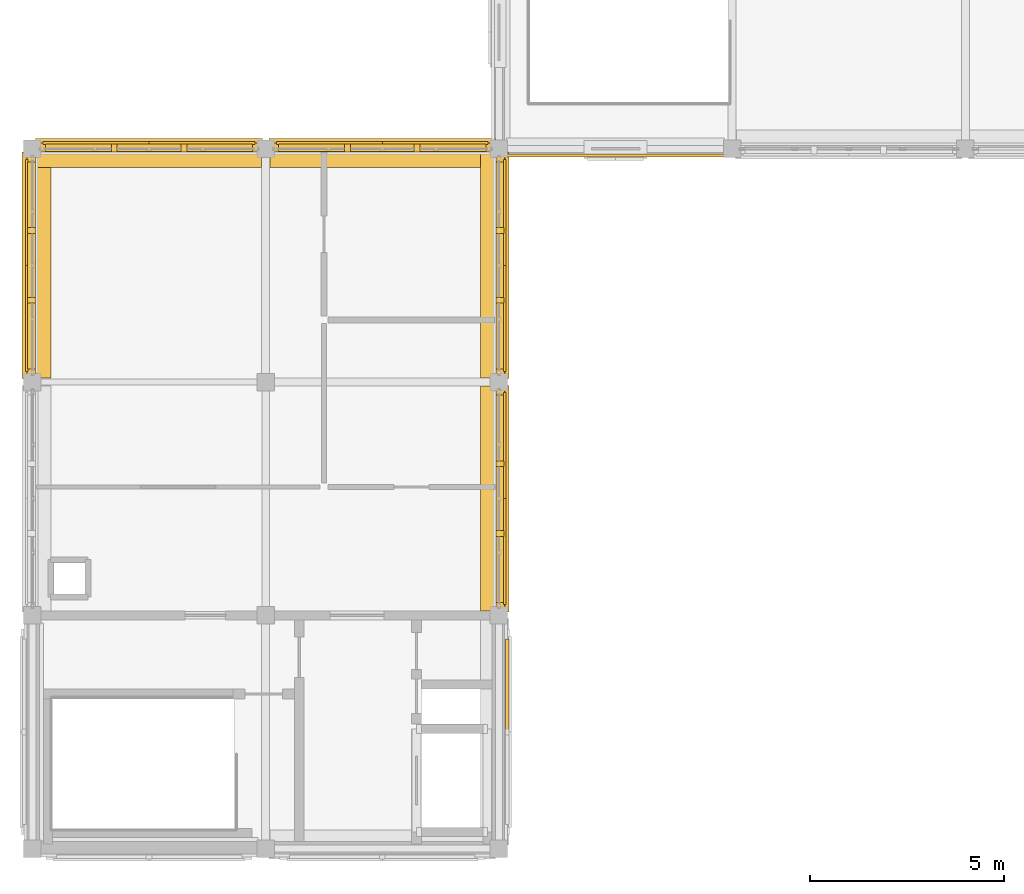
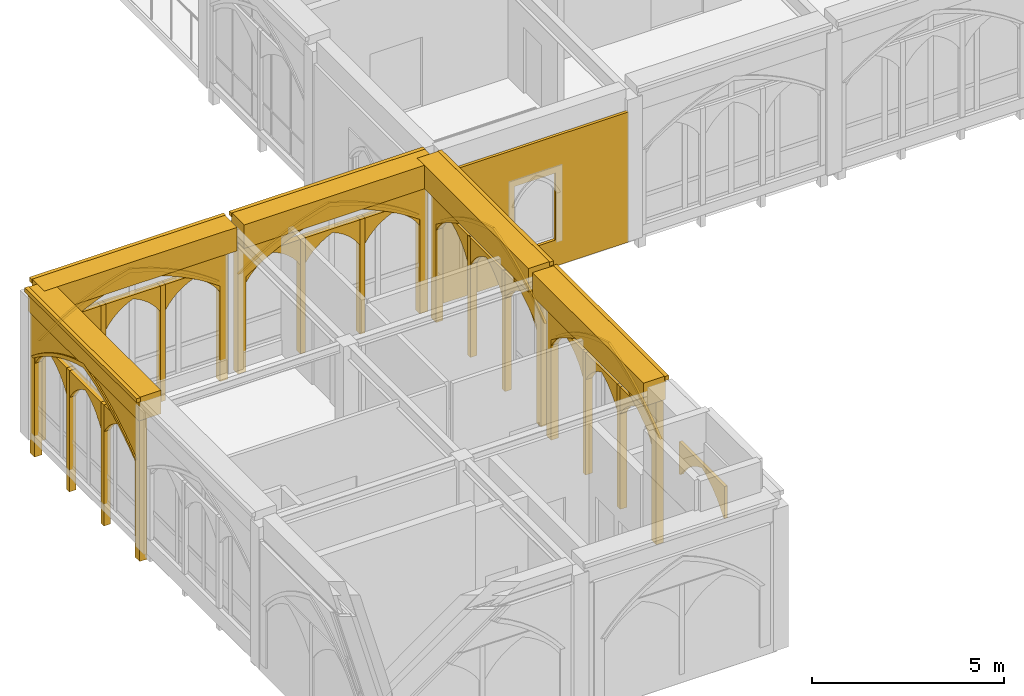
# One storey, part 48 of 59: 47 coverings.
"""IFC4 building model written with IfcOpenShell, lengths in metres."""

from ifc_helpers import new_model, si_unit, direction, frame, origin, origin_2d, place, context, subcontext, project, spatial, polyline, rectangle, outline, extrude, material, type_object, element, save


model = new_model("IFC4")

# Units and contexts
model_context = context("Model", 3, precision=1e-05, world=origin(), true_north=direction((0.0, 1.0)))
body_context = subcontext(model_context, "Body", "Model", "MODEL_VIEW")
ifc_project = project(units=[si_unit("LENGTHUNIT", "METRE"), si_unit("AREAUNIT", "SQUARE_METRE"), si_unit("VOLUMEUNIT", "CUBIC_METRE"), si_unit("PLANEANGLEUNIT", "RADIAN"), si_unit("MASSUNIT", "GRAM", prefix="KILO")], contexts=[model_context])

# Site, building, storey
site_placement = place(None, origin())
site = spatial("IfcSite", under=ifc_project, at=site_placement, CompositionType="ELEMENT")
building_placement = place(site_placement, origin())
building = spatial("IfcBuilding", under=site, at=building_placement, Name="Cumevento Cable Car Station", CompositionType="ELEMENT")
storey_placement = place(building_placement, frame((0.0, 0.0, 18.0)))
storey = spatial("IfcBuildingStorey", under=building, at=storey_placement, Name="L05", CompositionType="ELEMENT", Elevation=18.0)

# Coverings
ifc_material = material(Name="Gnaisse Facoidal Stone Ashlar 85 MPa", Category="masonry")
covering_type = type_object("IfcCoveringType", Name="Gnaisse Ashlar Cladding CV-CL01", PredefinedType="CLADDING", material=ifc_material)
covering_1_placement = place(storey_placement, frame((13.0, 44.85009765625, 4.032958984375), z_axis=(0.0, 0.0, 1.0), x_axis=(1.0, 0.0, 0.0)))
element("IfcCovering", 1, at=covering_1_placement, inside=storey, type_object=covering_type, Name="Gothic Stone Spandrel Stringcourse sc:0790", PredefinedType="CLADDING", context=body_context, shape_type="SweptSolid", body=[
    extrude(rectangle(XDim=5.7900390625, YDim=0.659912109375, at=origin_2d()), origin(), (0.0, 0.0, 1.0), 0.7470703125),
])
covering_2_placement = place(storey_placement, frame((13.0, 45.20751953125, 4.650146484375), z_axis=(0.0, 0.0, 1.0), x_axis=(1.0, 0.0, 0.0)))
element("IfcCovering", 2, at=covering_2_placement, inside=storey, type_object=covering_type, Name="Gothic Cornice Dripstone Lip sc:0790", PredefinedType="CLADDING", context=body_context, shape_type="SweptSolid", body=[
    extrude(rectangle(XDim=5.830078125, YDim=0.114990234375, at=origin_2d()), origin(), (0.0, 0.0, 1.0), 0.1298828125),
])
covering_3_placement = place(storey_placement, frame((19.0, 44.85009765625, 4.032958984375), z_axis=(0.0, 0.0, 1.0), x_axis=(1.0, 0.0, 0.0)))
element("IfcCovering", 3, at=covering_3_placement, inside=storey, type_object=covering_type, Name="Gothic Stone Spandrel Stringcourse sc:0791", PredefinedType="CLADDING", context=body_context, shape_type="SweptSolid", body=[
    extrude(rectangle(XDim=5.7900390625, YDim=0.659912109375, at=origin_2d()), origin(), (0.0, 0.0, 1.0), 0.7470703125),
])
covering_4_placement = place(storey_placement, frame((19.0, 45.20751953125, 4.650146484375), z_axis=(0.0, 0.0, 1.0), x_axis=(1.0, 0.0, 0.0)))
element("IfcCovering", 4, at=covering_4_placement, inside=storey, type_object=covering_type, Name="Gothic Cornice Dripstone Lip sc:0791", PredefinedType="CLADDING", context=body_context, shape_type="SweptSolid", body=[
    extrude(rectangle(XDim=5.830078125, YDim=0.114990234375, at=origin_2d()), origin(), (0.0, 0.0, 1.0), 0.1298828125),
])
covering_5_placement = place(storey_placement, frame((10.14990234375, 42.0, 4.032958984375), z_axis=(0.0, 0.0, 1.0), x_axis=(0.0, 1.0, 0.0)))
element("IfcCovering", 5, at=covering_5_placement, inside=storey, type_object=covering_type, Name="Gothic Stone Spandrel Stringcourse sc:0793", PredefinedType="CLADDING", context=body_context, shape_type="SweptSolid", body=[
    extrude(rectangle(XDim=5.7900390625, YDim=0.659912109375, at=origin_2d()), origin(), (0.0, 0.0, 1.0), 0.7470703125),
])
covering_6_placement = place(storey_placement, frame((9.79248046875, 42.0, 4.650146484375), z_axis=(0.0, 0.0, 1.0), x_axis=(0.0, 1.0, 0.0)))
element("IfcCovering", 6, at=covering_6_placement, inside=storey, type_object=covering_type, Name="Gothic Cornice Dripstone Lip sc:0793", PredefinedType="CLADDING", context=body_context, shape_type="SweptSolid", body=[
    extrude(rectangle(XDim=5.830078125, YDim=0.114990234375, at=origin_2d()), origin(), (0.0, 0.0, 1.0), 0.1298828125),
])
covering_7_placement = place(storey_placement, frame((21.85009765625, 36.0, 4.032958984375), z_axis=(0.0, 0.0, 1.0), x_axis=(0.0, -1.0, 0.0)))
element("IfcCovering", 7, at=covering_7_placement, inside=storey, type_object=covering_type, Name="Gothic Stone Spandrel Stringcourse sc:0794", PredefinedType="CLADDING", context=body_context, shape_type="SweptSolid", body=[
    extrude(rectangle(XDim=5.7900390625, YDim=0.659912109375, at=origin_2d()), origin(), (0.0, 0.0, 1.0), 0.7470703125),
])
covering_8_placement = place(storey_placement, frame((22.20751953125, 36.0, 4.650146484375), z_axis=(0.0, 0.0, 1.0), x_axis=(0.0, -1.0, 0.0)))
element("IfcCovering", 8, at=covering_8_placement, inside=storey, type_object=covering_type, Name="Gothic Cornice Dripstone Lip sc:0794", PredefinedType="CLADDING", context=body_context, shape_type="SweptSolid", body=[
    extrude(rectangle(XDim=5.830078125, YDim=0.114990234375, at=origin_2d()), origin(), (0.0, 0.0, 1.0), 0.1298828125),
])
covering_9_placement = place(storey_placement, frame((21.85009765625, 42.0, 4.032958984375), z_axis=(0.0, 0.0, 1.0), x_axis=(0.0, -1.0, 0.0)))
element("IfcCovering", 9, at=covering_9_placement, inside=storey, type_object=covering_type, Name="Gothic Stone Spandrel Stringcourse sc:0795", PredefinedType="CLADDING", context=body_context, shape_type="SweptSolid", body=[
    extrude(rectangle(XDim=5.7900390625, YDim=0.659912109375, at=origin_2d()), origin(), (0.0, 0.0, 1.0), 0.7470703125),
])
covering_10_placement = place(storey_placement, frame((22.20751953125, 42.0, 4.650146484375), z_axis=(0.0, 0.0, 1.0), x_axis=(0.0, -1.0, 0.0)))
element("IfcCovering", 10, at=covering_10_placement, inside=storey, type_object=covering_type, Name="Gothic Cornice Dripstone Lip sc:0795", PredefinedType="CLADDING", context=body_context, shape_type="SweptSolid", body=[
    extrude(rectangle(XDim=5.830078125, YDim=0.114990234375, at=origin_2d()), origin(), (0.0, 0.0, 1.0), 0.1298828125),
])
placement_1 = place(storey_placement, frame((10.22509765625, 45.0, -0.27001953125), z_axis=(0.0, 0.0, 1.0), x_axis=(1.0, 0.0, 0.0)))
element("IfcCovering", 11, at=placement_1, inside=storey, type_object=covering_type, Name="Gothic Ogival Pointed-Arch Stone Spandrel cw_ogival:0197", PredefinedType="CLADDING", context=body_context, shape_type="SweptSolid", body=[
    extrude(outline(polyline([(-0.080078125, 0.0), (-0.080078125, 4.443115234375), (5.6298828125, 4.443115234375), (5.6298828125, 0.0), (5.389892578125, 0.0), (5.389892578125, 3.037109375), (5.09228515625, 3.243408203125), (4.78466796875, 3.434814453125), (4.4677734375, 3.610595703125), (4.142578125, 3.7705078125), (3.81005859375, 3.913818359375), (3.470703125, 4.040771484375), (3.125244140625, 4.150390625), (2.77490234375, 4.242919921875), (2.4248046875, 4.150390625), (2.079345703125, 4.040771484375), (1.739990234375, 3.913818359375), (1.407470703125, 3.7705078125), (1.082275390625, 3.610595703125), (0.765380859375, 3.434814453125), (0.457763671875, 3.243408203125), (0.159912109375, 3.037109375), (0.159912109375, 0.0), (-0.080078125, 0.0)])), frame((0.0, 0.139892578125, 0.0), z_axis=(0.0, -1.0, 0.0), x_axis=(1.0, 0.0, 0.0)), (0.0, 0.0, 1.0), 0.219970703125),
])
covering_12_placement = place(storey_placement, frame((10.22509765625, 45.0, 2.76708984375), z_axis=(0.0, 0.0, 1.0), x_axis=(1.0, 0.0, 0.0)))
element("IfcCovering", 12, at=covering_12_placement, inside=storey, type_object=covering_type, Name="Gothic Pointed Archivolt Hood Moulding cw_ogival:0197", PredefinedType="CLADDING", context=body_context, shape_type="SweptSolid", body=[
    extrude(outline(polyline([(0.159912109375, 0.0), (0.457763671875, 0.206298828125), (0.765380859375, 0.397705078125), (1.082275390625, 0.573486328125), (1.407470703125, 0.7333984375), (1.739990234375, 0.876708984375), (2.079345703125, 1.003662109375), (2.4248046875, 1.11328125), (2.77490234375, 1.205810546875), (3.125244140625, 1.11328125), (3.470703125, 1.003662109375), (3.81005859375, 0.876708984375), (4.142578125, 0.7333984375), (4.4677734375, 0.573486328125), (4.78466796875, 0.397705078125), (5.09228515625, 0.206298828125), (5.389892578125, 0.0), (5.5, 0.0), (5.19384765625, 0.229248046875), (4.875732421875, 0.44189453125), (4.547119140625, 0.6376953125), (4.20849609375, 0.815673828125), (3.861083984375, 0.975830078125), (3.505615234375, 1.117431640625), (3.143310546875, 1.239990234375), (2.77490234375, 1.343505859375), (2.40673828125, 1.239990234375), (2.04443359375, 1.117431640625), (1.68896484375, 0.975830078125), (1.341552734375, 0.815673828125), (1.0029296875, 0.6376953125), (0.67431640625, 0.44189453125), (0.356201171875, 0.229248046875), (0.050048828125, 0.0), (0.159912109375, 0.0)])), frame((0.0, 0.181884765625, 0.0), z_axis=(0.0, -1.0, 0.0), x_axis=(1.0, 0.0, 0.0)), (0.0, 0.0, 1.0), 0.06689453125),
])
element("IfcCovering", 13, at=placement_1, inside=storey, type_object=covering_type, Name="Gothic Bifora Stone Colonnette cw_ogival:0197 #1", PredefinedType="CLADDING", context=body_context, shape_type="SweptSolid", body=[
    extrude(outline(polyline([(1.80322265625, -0.02001953125), (1.953369140625, -0.02001953125), (1.953369140625, 3.664306640625), (1.80322265625, 3.664306640625), (1.80322265625, -0.02001953125)])), frame((0.0, 0.1279296875, 0.0), z_axis=(0.0, -1.0, 0.0), x_axis=(1.0, 0.0, 0.0)), (0.0, 0.0, 1.0), 0.205078125),
])
element("IfcCovering", 14, at=placement_1, inside=storey, type_object=covering_type, Name="Gothic Bifora Stone Colonnette cw_ogival:0197 #2", PredefinedType="CLADDING", context=body_context, shape_type="SweptSolid", body=[
    extrude(outline(polyline([(3.5966796875, -0.02001953125), (3.74658203125, -0.02001953125), (3.74658203125, 3.664306640625), (3.5966796875, 3.664306640625), (3.5966796875, -0.02001953125)])), frame((0.0, 0.1279296875, 0.0), z_axis=(0.0, -1.0, 0.0), x_axis=(1.0, 0.0, 0.0)), (0.0, 0.0, 1.0), 0.205078125),
])
for number, where, z_axis, x_axis, name in (
    (15, (10.35498046875, 45.0, 2.587158203125), (0.0, 0.0, 1.0), (1.0, 0.0, 0.0), "Gothic Ogival Pointed-Arch Stone Spandrel cw_ogival:0197:sub:0"),
    (16, (12.1484375, 45.0, 2.587158203125), (0.0, 0.0, 1.0), (1.0, 0.0, 0.0), "Gothic Ogival Pointed-Arch Stone Spandrel cw_ogival:0197:sub:1"),
    (17, (13.941650390625, 45.0, 2.587158203125), (0.0, 0.0, 1.0), (1.0, 0.0, 0.0), "Gothic Ogival Pointed-Arch Stone Spandrel cw_ogival:0197:sub:2"),
):
    element("IfcCovering", number, at=place(storey_placement, frame(where, z_axis=z_axis, x_axis=x_axis)), inside=storey, type_object=covering_type, Name=name, PredefinedType="CLADDING", context=body_context, shape_type="SweptSolid", body=[
        extrude(outline(polyline([(-0.02001953125, 0.0), (-0.02001953125, 0.80712890625), (1.723388671875, 0.80712890625), (1.723388671875, 0.0), (1.663330078125, 0.0), (1.561767578125, 0.14892578125), (1.444580078125, 0.285888671875), (1.3134765625, 0.40966796875), (1.169921875, 0.5185546875), (1.015380859375, 0.611328125), (0.8515625, 0.68701171875), (0.68798828125, 0.611328125), (0.533447265625, 0.5185546875), (0.389892578125, 0.40966796875), (0.2587890625, 0.285888671875), (0.1416015625, 0.14892578125), (0.0400390625, 0.0), (-0.02001953125, 0.0)])), frame((0.0, 0.1240234375, 0.0), z_axis=(0.0, -1.0, 0.0), x_axis=(1.0, 0.0, 0.0)), (0.0, 0.0, 1.0), 0.199951171875),
    ])
placement_2 = place(storey_placement, frame((16.22509765625, 45.0, -0.219970703125), z_axis=(0.0, 0.0, 1.0), x_axis=(1.0, 0.0, 0.0)))
element("IfcCovering", 18, at=placement_2, inside=storey, type_object=covering_type, Name="Gothic Ogival Pointed-Arch Stone Spandrel cw_ogival:0198", PredefinedType="CLADDING", context=body_context, shape_type="SweptSolid", body=[
    extrude(outline(polyline([(-0.080078125, 0.0), (-0.080078125, 4.39306640625), (5.6298828125, 4.39306640625), (5.6298828125, 0.0), (5.389892578125, 0.0), (5.389892578125, 3.005126953125), (5.091552734375, 3.20849609375), (4.783203125, 3.39697265625), (4.466064453125, 3.5703125), (4.140869140625, 3.727783203125), (3.80859375, 3.869140625), (3.469482421875, 3.993896484375), (3.124755859375, 4.10205078125), (2.77490234375, 4.193115234375), (2.42529296875, 4.10205078125), (2.08056640625, 3.993896484375), (1.741455078125, 3.869140625), (1.4091796875, 3.727783203125), (1.083984375, 3.5703125), (0.766845703125, 3.39697265625), (0.45849609375, 3.20849609375), (0.159912109375, 3.005126953125), (0.159912109375, 0.0), (-0.080078125, 0.0)])), frame((0.0, 0.139892578125, 0.0), z_axis=(0.0, -1.0, 0.0), x_axis=(1.0, 0.0, 0.0)), (0.0, 0.0, 1.0), 0.219970703125),
])
covering_16_placement = place(storey_placement, frame((16.22509765625, 45.0, 2.78515625), z_axis=(0.0, 0.0, 1.0), x_axis=(1.0, 0.0, 0.0)))
element("IfcCovering", 19, at=covering_16_placement, inside=storey, type_object=covering_type, Name="Gothic Pointed Archivolt Hood Moulding cw_ogival:0198", PredefinedType="CLADDING", context=body_context, shape_type="SweptSolid", body=[
    extrude(outline(polyline([(0.159912109375, 0.0), (0.45849609375, 0.203369140625), (0.766845703125, 0.391845703125), (1.083984375, 0.565185546875), (1.4091796875, 0.72265625), (1.741455078125, 0.864013671875), (2.08056640625, 0.98876953125), (2.42529296875, 1.096923828125), (2.77490234375, 1.18798828125), (3.124755859375, 1.096923828125), (3.469482421875, 0.98876953125), (3.80859375, 0.864013671875), (4.140869140625, 0.72265625), (4.466064453125, 0.565185546875), (4.783203125, 0.391845703125), (5.091552734375, 0.203369140625), (5.389892578125, 0.0), (5.5, 0.0), (5.19287109375, 0.226318359375), (4.87451171875, 0.436279296875), (4.54541015625, 0.62939453125), (4.206787109375, 0.80517578125), (3.859619140625, 0.962890625), (3.50439453125, 1.1025390625), (3.142578125, 1.223388671875), (2.77490234375, 1.325439453125), (2.407470703125, 1.223388671875), (2.045654296875, 1.1025390625), (1.6904296875, 0.962890625), (1.34326171875, 0.80517578125), (1.004638671875, 0.62939453125), (0.675537109375, 0.436279296875), (0.357177734375, 0.226318359375), (0.050048828125, 0.0), (0.159912109375, 0.0)])), frame((0.0, 0.181884765625, 0.0), z_axis=(0.0, -1.0, 0.0), x_axis=(1.0, 0.0, 0.0)), (0.0, 0.0, 1.0), 0.06689453125),
])
element("IfcCovering", 20, at=placement_2, inside=storey, type_object=covering_type, Name="Gothic Bifora Stone Colonnette cw_ogival:0198 #1", PredefinedType="CLADDING", context=body_context, shape_type="SweptSolid", body=[
    extrude(outline(polyline([(1.80322265625, -0.02001953125), (1.953369140625, -0.02001953125), (1.953369140625, 3.622802734375), (1.80322265625, 3.622802734375), (1.80322265625, -0.02001953125)])), frame((0.0, 0.1279296875, 0.0), z_axis=(0.0, -1.0, 0.0), x_axis=(1.0, 0.0, 0.0)), (0.0, 0.0, 1.0), 0.205078125),
])
element("IfcCovering", 21, at=placement_2, inside=storey, type_object=covering_type, Name="Gothic Bifora Stone Colonnette cw_ogival:0198 #2", PredefinedType="CLADDING", context=body_context, shape_type="SweptSolid", body=[
    extrude(outline(polyline([(3.5966796875, -0.02001953125), (3.74658203125, -0.02001953125), (3.74658203125, 3.622802734375), (3.5966796875, 3.622802734375), (3.5966796875, -0.02001953125)])), frame((0.0, 0.1279296875, 0.0), z_axis=(0.0, -1.0, 0.0), x_axis=(1.0, 0.0, 0.0)), (0.0, 0.0, 1.0), 0.205078125),
])
for number, where, z_axis, x_axis, name in (
    (22, (16.35498046875, 45.0, 2.60498046875), (0.0, 0.0, 1.0), (1.0, 0.0, 0.0), "Gothic Ogival Pointed-Arch Stone Spandrel cw_ogival:0198:sub:0"),
    (23, (18.1484375, 45.0, 2.60498046875), (0.0, 0.0, 1.0), (1.0, 0.0, 0.0), "Gothic Ogival Pointed-Arch Stone Spandrel cw_ogival:0198:sub:1"),
    (24, (19.941650390625, 45.0, 2.60498046875), (0.0, 0.0, 1.0), (1.0, 0.0, 0.0), "Gothic Ogival Pointed-Arch Stone Spandrel cw_ogival:0198:sub:2"),
):
    element("IfcCovering", number, at=place(storey_placement, frame(where, z_axis=z_axis, x_axis=x_axis)), inside=storey, type_object=covering_type, Name=name, PredefinedType="CLADDING", context=body_context, shape_type="SweptSolid", body=[
        extrude(outline(polyline([(-0.02001953125, 0.0), (-0.02001953125, 0.797607421875), (1.723388671875, 0.797607421875), (1.723388671875, 0.0), (1.663330078125, 0.0), (1.56103515625, 0.14697265625), (1.443359375, 0.2822265625), (1.312255859375, 0.404296875), (1.168701171875, 0.51171875), (1.0146484375, 0.603271484375), (0.8515625, 0.677734375), (0.688720703125, 0.603271484375), (0.53466796875, 0.51171875), (0.39111328125, 0.404296875), (0.260009765625, 0.2822265625), (0.142333984375, 0.14697265625), (0.0400390625, 0.0), (-0.02001953125, 0.0)])), frame((0.0, 0.1240234375, 0.0), z_axis=(0.0, -1.0, 0.0), x_axis=(1.0, 0.0, 0.0)), (0.0, 0.0, 1.0), 0.199951171875),
    ])
placement_3 = place(storey_placement, frame((22.0, 38.77490234375, -0.52001953125), z_axis=(0.0, 0.0, 1.0), x_axis=(0.0, -1.0, 0.0)))
element("IfcCovering", 25, at=placement_3, inside=storey, type_object=covering_type, Name="Gothic Ogival Pointed-Arch Stone Spandrel cw_ogival:0200", PredefinedType="CLADDING", context=body_context, shape_type="SweptSolid", body=[
    extrude(outline(polyline([(-0.080078125, 0.0), (-0.080078125, 4.693115234375), (5.6298828125, 4.693115234375), (5.6298828125, 0.0), (5.389892578125, 0.0), (5.389892578125, 3.197021484375), (5.096435546875, 3.41796875), (4.79150390625, 3.623291015625), (4.476318359375, 3.81201171875), (4.1513671875, 3.98388671875), (3.81787109375, 4.13818359375), (3.476806640625, 4.27490234375), (3.128662109375, 4.39306640625), (2.77490234375, 4.492919921875), (2.42138671875, 4.39306640625), (2.0732421875, 4.27490234375), (1.732177734375, 4.13818359375), (1.398681640625, 3.98388671875), (1.07373046875, 3.81201171875), (0.758544921875, 3.623291015625), (0.45361328125, 3.41796875), (0.159912109375, 3.197021484375), (0.159912109375, 0.0), (-0.080078125, 0.0)])), frame((0.0, 0.139892578125, 0.0), z_axis=(0.0, -1.0, 0.0), x_axis=(1.0, 0.0, 0.0)), (0.0, 0.0, 1.0), 0.219970703125),
])
covering_20_placement = place(storey_placement, frame((22.0, 38.77490234375, 2.677001953125), z_axis=(0.0, 0.0, 1.0), x_axis=(0.0, -1.0, 0.0)))
element("IfcCovering", 26, at=covering_20_placement, inside=storey, type_object=covering_type, Name="Gothic Pointed Archivolt Hood Moulding cw_ogival:0200", PredefinedType="CLADDING", context=body_context, shape_type="SweptSolid", body=[
    extrude(outline(polyline([(0.159912109375, 0.0), (0.45361328125, 0.220947265625), (0.758544921875, 0.42626953125), (1.07373046875, 0.614990234375), (1.398681640625, 0.786865234375), (1.732177734375, 0.941162109375), (2.0732421875, 1.077880859375), (2.42138671875, 1.196044921875), (2.77490234375, 1.2958984375), (3.128662109375, 1.196044921875), (3.476806640625, 1.077880859375), (3.81787109375, 0.941162109375), (4.1513671875, 0.786865234375), (4.476318359375, 0.614990234375), (4.79150390625, 0.42626953125), (5.096435546875, 0.220947265625), (5.389892578125, 0.0), (5.5, 0.0), (5.1982421875, 0.24365234375), (4.883056640625, 0.47021484375), (4.555908203125, 0.678955078125), (4.2177734375, 0.869140625), (3.869384765625, 1.0400390625), (3.51220703125, 1.19140625), (3.14697265625, 1.32275390625), (2.77490234375, 1.433349609375), (2.403076171875, 1.32275390625), (2.037841796875, 1.19140625), (1.6806640625, 1.0400390625), (1.332275390625, 0.869140625), (0.994140625, 0.678955078125), (0.6669921875, 0.47021484375), (0.351806640625, 0.24365234375), (0.050048828125, 0.0), (0.159912109375, 0.0)])), frame((0.0, 0.181884765625, 0.0), z_axis=(0.0, -1.0, 0.0), x_axis=(1.0, 0.0, 0.0)), (0.0, 0.0, 1.0), 0.06689453125),
])
element("IfcCovering", 27, at=placement_3, inside=storey, type_object=covering_type, Name="Gothic Bifora Stone Colonnette cw_ogival:0200 #1", PredefinedType="CLADDING", context=body_context, shape_type="SweptSolid", body=[
    extrude(outline(polyline([(1.80322265625, -0.02001953125), (1.953369140625, -0.02001953125), (1.953369140625, 3.87109375), (1.80322265625, 3.87109375), (1.80322265625, -0.02001953125)])), frame((0.0, 0.1279296875, 0.0), z_axis=(0.0, -1.0, 0.0), x_axis=(1.0, 0.0, 0.0)), (0.0, 0.0, 1.0), 0.205078125),
])
element("IfcCovering", 28, at=placement_3, inside=storey, type_object=covering_type, Name="Gothic Bifora Stone Colonnette cw_ogival:0200 #2", PredefinedType="CLADDING", context=body_context, shape_type="SweptSolid", body=[
    extrude(outline(polyline([(3.5966796875, -0.02001953125), (3.74658203125, -0.02001953125), (3.74658203125, 3.87109375), (3.5966796875, 3.87109375), (3.5966796875, -0.02001953125)])), frame((0.0, 0.1279296875, 0.0), z_axis=(0.0, -1.0, 0.0), x_axis=(1.0, 0.0, 0.0)), (0.0, 0.0, 1.0), 0.205078125),
])
for number, where, z_axis, x_axis, name in (
    (29, (22.0, 38.64501953125, 2.4970703125), (0.0, 0.0, 1.0), (0.0, -1.0, 0.0), "Gothic Ogival Pointed-Arch Stone Spandrel cw_ogival:0200:sub:0"),
    (30, (22.0, 36.8515625, 2.4970703125), (0.0, 0.0, 1.0), (0.0, -1.0, 0.0), "Gothic Ogival Pointed-Arch Stone Spandrel cw_ogival:0200:sub:1"),
    (31, (22.0, 35.058349609375, 2.4970703125), (0.0, 0.0, 1.0), (0.0, -1.0, 0.0), "Gothic Ogival Pointed-Arch Stone Spandrel cw_ogival:0200:sub:2"),
):
    element("IfcCovering", number, at=place(storey_placement, frame(where, z_axis=z_axis, x_axis=x_axis)), inside=storey, type_object=covering_type, Name=name, PredefinedType="CLADDING", context=body_context, shape_type="SweptSolid", body=[
        extrude(outline(polyline([(-0.02001953125, 0.0), (-0.02001953125, 0.85400390625), (1.723388671875, 0.85400390625), (1.723388671875, 0.0), (1.663330078125, 0.0), (1.565673828125, 0.157958984375), (1.45068359375, 0.303955078125), (1.320068359375, 0.436279296875), (1.175537109375, 0.552978515625), (1.018798828125, 0.652587890625), (0.8515625, 0.73388671875), (0.6845703125, 0.652587890625), (0.52783203125, 0.552978515625), (0.38330078125, 0.436279296875), (0.252685546875, 0.303955078125), (0.1376953125, 0.157958984375), (0.0400390625, 0.0), (-0.02001953125, 0.0)])), frame((0.0, 0.1240234375, 0.0), z_axis=(0.0, -1.0, 0.0), x_axis=(1.0, 0.0, 0.0)), (0.0, 0.0, 1.0), 0.199951171875),
    ])
placement_4 = place(storey_placement, frame((10.0, 39.22509765625, -0.469970703125), z_axis=(0.0, 0.0, 1.0), x_axis=(0.0, 1.0, 0.0)))
element("IfcCovering", 32, at=placement_4, inside=storey, type_object=covering_type, Name="Gothic Ogival Pointed-Arch Stone Spandrel cw_ogival:0201", PredefinedType="CLADDING", context=body_context, shape_type="SweptSolid", body=[
    extrude(outline(polyline([(-0.080078125, 0.0), (-0.080078125, 4.64306640625), (5.6298828125, 4.64306640625), (5.6298828125, 0.0), (5.389892578125, 0.0), (5.389892578125, 3.1650390625), (5.095703125, 3.383056640625), (4.7900390625, 3.58544921875), (4.474609375, 3.771728515625), (4.149658203125, 3.941162109375), (3.816162109375, 4.093505859375), (3.475341796875, 4.22802734375), (3.128173828125, 4.3447265625), (2.77490234375, 4.44287109375), (2.421875, 4.3447265625), (2.07470703125, 4.22802734375), (1.73388671875, 4.093505859375), (1.400390625, 3.941162109375), (1.075439453125, 3.771728515625), (0.760009765625, 3.58544921875), (0.454345703125, 3.383056640625), (0.159912109375, 3.1650390625), (0.159912109375, 0.0), (-0.080078125, 0.0)])), frame((0.0, 0.139892578125, 0.0), z_axis=(0.0, -1.0, 0.0), x_axis=(1.0, 0.0, 0.0)), (0.0, 0.0, 1.0), 0.219970703125),
])
covering_24_placement = place(storey_placement, frame((10.0, 39.22509765625, 2.695068359375), z_axis=(0.0, 0.0, 1.0), x_axis=(0.0, 1.0, 0.0)))
element("IfcCovering", 33, at=covering_24_placement, inside=storey, type_object=covering_type, Name="Gothic Pointed Archivolt Hood Moulding cw_ogival:0201", PredefinedType="CLADDING", context=body_context, shape_type="SweptSolid", body=[
    extrude(outline(polyline([(0.159912109375, 0.0), (0.454345703125, 0.218017578125), (0.760009765625, 0.42041015625), (1.075439453125, 0.606689453125), (1.400390625, 0.776123046875), (1.73388671875, 0.928466796875), (2.07470703125, 1.06298828125), (2.421875, 1.1796875), (2.77490234375, 1.27783203125), (3.128173828125, 1.1796875), (3.475341796875, 1.06298828125), (3.816162109375, 0.928466796875), (4.149658203125, 0.776123046875), (4.474609375, 0.606689453125), (4.7900390625, 0.42041015625), (5.095703125, 0.218017578125), (5.389892578125, 0.0), (5.5, 0.0), (5.197265625, 0.24072265625), (4.881591796875, 0.464599609375), (4.55419921875, 0.670654296875), (4.2158203125, 0.8583984375), (3.86767578125, 1.02734375), (3.5107421875, 1.1767578125), (3.146240234375, 1.30615234375), (2.77490234375, 1.415283203125), (2.40380859375, 1.30615234375), (2.039306640625, 1.1767578125), (1.682373046875, 1.02734375), (1.334228515625, 0.8583984375), (0.995849609375, 0.670654296875), (0.66845703125, 0.464599609375), (0.352783203125, 0.24072265625), (0.050048828125, 0.0), (0.159912109375, 0.0)])), frame((0.0, 0.181884765625, 0.0), z_axis=(0.0, -1.0, 0.0), x_axis=(1.0, 0.0, 0.0)), (0.0, 0.0, 1.0), 0.06689453125),
])
element("IfcCovering", 34, at=placement_4, inside=storey, type_object=covering_type, Name="Gothic Bifora Stone Colonnette cw_ogival:0201 #1", PredefinedType="CLADDING", context=body_context, shape_type="SweptSolid", body=[
    extrude(outline(polyline([(1.80322265625, -0.02001953125), (1.953369140625, -0.02001953125), (1.953369140625, 3.82958984375), (1.80322265625, 3.82958984375), (1.80322265625, -0.02001953125)])), frame((0.0, 0.1279296875, 0.0), z_axis=(0.0, -1.0, 0.0), x_axis=(1.0, 0.0, 0.0)), (0.0, 0.0, 1.0), 0.205078125),
])
element("IfcCovering", 35, at=placement_4, inside=storey, type_object=covering_type, Name="Gothic Bifora Stone Colonnette cw_ogival:0201 #2", PredefinedType="CLADDING", context=body_context, shape_type="SweptSolid", body=[
    extrude(outline(polyline([(3.5966796875, -0.02001953125), (3.74658203125, -0.02001953125), (3.74658203125, 3.82958984375), (3.5966796875, 3.82958984375), (3.5966796875, -0.02001953125)])), frame((0.0, 0.1279296875, 0.0), z_axis=(0.0, -1.0, 0.0), x_axis=(1.0, 0.0, 0.0)), (0.0, 0.0, 1.0), 0.205078125),
])
for number, where, z_axis, x_axis, name in (
    (36, (10.0, 39.35498046875, 2.51513671875), (0.0, 0.0, 1.0), (0.0, 1.0, 0.0), "Gothic Ogival Pointed-Arch Stone Spandrel cw_ogival:0201:sub:0"),
    (37, (10.0, 41.1484375, 2.51513671875), (0.0, 0.0, 1.0), (0.0, 1.0, 0.0), "Gothic Ogival Pointed-Arch Stone Spandrel cw_ogival:0201:sub:1"),
    (38, (10.0, 42.941650390625, 2.51513671875), (0.0, 0.0, 1.0), (0.0, 1.0, 0.0), "Gothic Ogival Pointed-Arch Stone Spandrel cw_ogival:0201:sub:2"),
):
    element("IfcCovering", number, at=place(storey_placement, frame(where, z_axis=z_axis, x_axis=x_axis)), inside=storey, type_object=covering_type, Name=name, PredefinedType="CLADDING", context=body_context, shape_type="SweptSolid", body=[
        extrude(outline(polyline([(-0.02001953125, 0.0), (-0.02001953125, 0.844482421875), (1.723388671875, 0.844482421875), (1.723388671875, 0.0), (1.663330078125, 0.0), (1.56494140625, 0.15625), (1.449462890625, 0.300537109375), (1.31884765625, 0.430908203125), (1.17431640625, 0.5458984375), (1.01806640625, 0.644287109375), (0.8515625, 0.724609375), (0.685302734375, 0.644287109375), (0.529052734375, 0.5458984375), (0.384521484375, 0.430908203125), (0.25390625, 0.300537109375), (0.138427734375, 0.15625), (0.0400390625, 0.0), (-0.02001953125, 0.0)])), frame((0.0, 0.1240234375, 0.0), z_axis=(0.0, -1.0, 0.0), x_axis=(1.0, 0.0, 0.0)), (0.0, 0.0, 1.0), 0.199951171875),
    ])
placement_5 = place(storey_placement, frame((22.0, 44.77490234375, -0.419921875), z_axis=(0.0, 0.0, 1.0), x_axis=(0.0, -1.0, 0.0)))
element("IfcCovering", 39, at=placement_5, inside=storey, type_object=covering_type, Name="Gothic Ogival Pointed-Arch Stone Spandrel cw_ogival:0202", PredefinedType="CLADDING", context=body_context, shape_type="SweptSolid", body=[
    extrude(outline(polyline([(-0.080078125, 0.0), (-0.080078125, 4.593017578125), (5.6298828125, 4.593017578125), (5.6298828125, 0.0), (5.389892578125, 0.0), (5.389892578125, 3.133056640625), (5.0947265625, 3.34814453125), (4.788818359375, 3.5478515625), (4.472900390625, 3.7314453125), (4.14794921875, 3.8984375), (3.814697265625, 4.048583984375), (3.47412109375, 4.18115234375), (3.12744140625, 4.296142578125), (2.77490234375, 4.39306640625), (2.422607421875, 4.296142578125), (2.075927734375, 4.18115234375), (1.7353515625, 4.048583984375), (1.402099609375, 3.8984375), (1.0771484375, 3.7314453125), (0.76123046875, 3.5478515625), (0.455322265625, 3.34814453125), (0.159912109375, 3.133056640625), (0.159912109375, 0.0), (-0.080078125, 0.0)])), frame((0.0, 0.139892578125, 0.0), z_axis=(0.0, -1.0, 0.0), x_axis=(1.0, 0.0, 0.0)), (0.0, 0.0, 1.0), 0.219970703125),
])
covering_28_placement = place(storey_placement, frame((22.0, 44.77490234375, 2.713134765625), z_axis=(0.0, 0.0, 1.0), x_axis=(0.0, -1.0, 0.0)))
element("IfcCovering", 40, at=covering_28_placement, inside=storey, type_object=covering_type, Name="Gothic Pointed Archivolt Hood Moulding cw_ogival:0202", PredefinedType="CLADDING", context=body_context, shape_type="SweptSolid", body=[
    extrude(outline(polyline([(0.159912109375, 0.0), (0.455322265625, 0.215087890625), (0.76123046875, 0.414794921875), (1.0771484375, 0.598388671875), (1.402099609375, 0.765380859375), (1.7353515625, 0.91552734375), (2.075927734375, 1.048095703125), (2.422607421875, 1.1630859375), (2.77490234375, 1.260009765625), (3.12744140625, 1.1630859375), (3.47412109375, 1.048095703125), (3.814697265625, 0.91552734375), (4.14794921875, 0.765380859375), (4.472900390625, 0.598388671875), (4.788818359375, 0.414794921875), (5.0947265625, 0.215087890625), (5.389892578125, 0.0), (5.5, 0.0), (5.1962890625, 0.238037109375), (4.880126953125, 0.458984375), (4.552490234375, 0.662353515625), (4.214111328125, 0.847900390625), (3.865966796875, 1.014404296875), (3.509521484375, 1.161865234375), (3.1455078125, 1.28955078125), (2.77490234375, 1.3974609375), (2.404541015625, 1.28955078125), (2.04052734375, 1.161865234375), (1.68408203125, 1.014404296875), (1.3359375, 0.847900390625), (0.99755859375, 0.662353515625), (0.669921875, 0.458984375), (0.353759765625, 0.238037109375), (0.050048828125, 0.0), (0.159912109375, 0.0)])), frame((0.0, 0.181884765625, 0.0), z_axis=(0.0, -1.0, 0.0), x_axis=(1.0, 0.0, 0.0)), (0.0, 0.0, 1.0), 0.06689453125),
])
element("IfcCovering", 41, at=placement_5, inside=storey, type_object=covering_type, Name="Gothic Bifora Stone Colonnette cw_ogival:0202 #1", PredefinedType="CLADDING", context=body_context, shape_type="SweptSolid", body=[
    extrude(outline(polyline([(1.80322265625, -0.02001953125), (1.953369140625, -0.02001953125), (1.953369140625, 3.7880859375), (1.80322265625, 3.7880859375), (1.80322265625, -0.02001953125)])), frame((0.0, 0.1279296875, 0.0), z_axis=(0.0, -1.0, 0.0), x_axis=(1.0, 0.0, 0.0)), (0.0, 0.0, 1.0), 0.205078125),
])
element("IfcCovering", 42, at=placement_5, inside=storey, type_object=covering_type, Name="Gothic Bifora Stone Colonnette cw_ogival:0202 #2", PredefinedType="CLADDING", context=body_context, shape_type="SweptSolid", body=[
    extrude(outline(polyline([(3.5966796875, -0.02001953125), (3.74658203125, -0.02001953125), (3.74658203125, 3.7880859375), (3.5966796875, 3.7880859375), (3.5966796875, -0.02001953125)])), frame((0.0, 0.1279296875, 0.0), z_axis=(0.0, -1.0, 0.0), x_axis=(1.0, 0.0, 0.0)), (0.0, 0.0, 1.0), 0.205078125),
])
for number, where, z_axis, x_axis, name in (
    (43, (22.0, 44.64501953125, 2.533203125), (0.0, 0.0, 1.0), (0.0, -1.0, 0.0), "Gothic Ogival Pointed-Arch Stone Spandrel cw_ogival:0202:sub:0"),
    (44, (22.0, 42.8515625, 2.533203125), (0.0, 0.0, 1.0), (0.0, -1.0, 0.0), "Gothic Ogival Pointed-Arch Stone Spandrel cw_ogival:0202:sub:1"),
    (45, (22.0, 41.058349609375, 2.533203125), (0.0, 0.0, 1.0), (0.0, -1.0, 0.0), "Gothic Ogival Pointed-Arch Stone Spandrel cw_ogival:0202:sub:2"),
):
    element("IfcCovering", number, at=place(storey_placement, frame(where, z_axis=z_axis, x_axis=x_axis)), inside=storey, type_object=covering_type, Name=name, PredefinedType="CLADDING", context=body_context, shape_type="SweptSolid", body=[
        extrude(outline(polyline([(-0.02001953125, 0.0), (-0.02001953125, 0.835205078125), (1.723388671875, 0.835205078125), (1.723388671875, 0.0), (1.663330078125, 0.0), (1.56396484375, 0.154296875), (1.4482421875, 0.296875), (1.3173828125, 0.425537109375), (1.17333984375, 0.5390625), (1.017333984375, 0.635986328125), (0.8515625, 0.715087890625), (0.68603515625, 0.635986328125), (0.530029296875, 0.5390625), (0.385986328125, 0.425537109375), (0.255126953125, 0.296875), (0.139404296875, 0.154296875), (0.0400390625, 0.0), (-0.02001953125, 0.0)])), frame((0.0, 0.1240234375, 0.0), z_axis=(0.0, -1.0, 0.0), x_axis=(1.0, 0.0, 0.0)), (0.0, 0.0, 1.0), 0.199951171875),
    ])
covering_31_placement = place(storey_placement, frame((22.0, 32.364990234375, 2.112060546875), z_axis=(0.0, 0.0, 1.0), x_axis=(0.0, -1.0, 0.0)))
element("IfcCovering", 46, at=covering_31_placement, inside=storey, type_object=covering_type, Name="Gothic Ogival Pointed-Arch Stone Spandrel blind_ogival:0301:sub:0", PredefinedType="CLADDING", context=body_context, shape_type="SweptSolid", body=[
    extrude(outline(polyline([(-0.02001953125, 0.0), (-0.02001953125, 1.02294921875), (2.340087890625, 1.02294921875), (2.340087890625, 0.0), (2.280029296875, 0.0), (2.13623046875, 0.196533203125), (1.97265625, 0.376953125), (1.791015625, 0.53955078125), (1.59375, 0.682373046875), (1.382568359375, 0.803955078125), (1.159912109375, 0.90283203125), (0.9375, 0.803955078125), (0.726318359375, 0.682373046875), (0.529052734375, 0.53955078125), (0.347412109375, 0.376953125), (0.183837890625, 0.196533203125), (0.0400390625, 0.0), (-0.02001953125, 0.0)])), frame((0.0, 0.261474609375, 0.0), z_axis=(0.0, -1.0, 0.0), x_axis=(1.0, 0.0, 0.0)), (0.0, 0.0, 1.0), 0.090087890625),
])
covering_32_placement = place(storey_placement, frame((27.77490234375, 45.0, 0.0), z_axis=(0.0, 0.0, 1.0), x_axis=(-1.0, 0.0, 0.0)))
element("IfcCovering", 47, at=covering_32_placement, inside=storey, type_object=covering_type, Name="Exterior Gnaisse Stone Wall Ashlar #302", PredefinedType="CLADDING", context=body_context, shape_type="SweptSolid", body=[
    extrude(outline(polyline([(-0.0400390625, -0.02001953125), (5.590087890625, -0.02001953125), (5.590087890625, 4.113037109375), (-0.0400390625, 4.113037109375), (-0.0400390625, -0.02001953125)]), holes=[polyline([(2.159912109375, 0.81005859375), (3.389892578125, 0.81005859375), (3.389892578125, 2.93994140625), (2.159912109375, 2.93994140625), (2.159912109375, 0.81005859375)])]), frame((0.0, 0.215087890625, 0.0), z_axis=(0.0, -1.0, 0.0), x_axis=(1.0, 0.0, 0.0)), (0.0, 0.0, 1.0), 0.0849609375),
])

save(model, "model.ifc")
